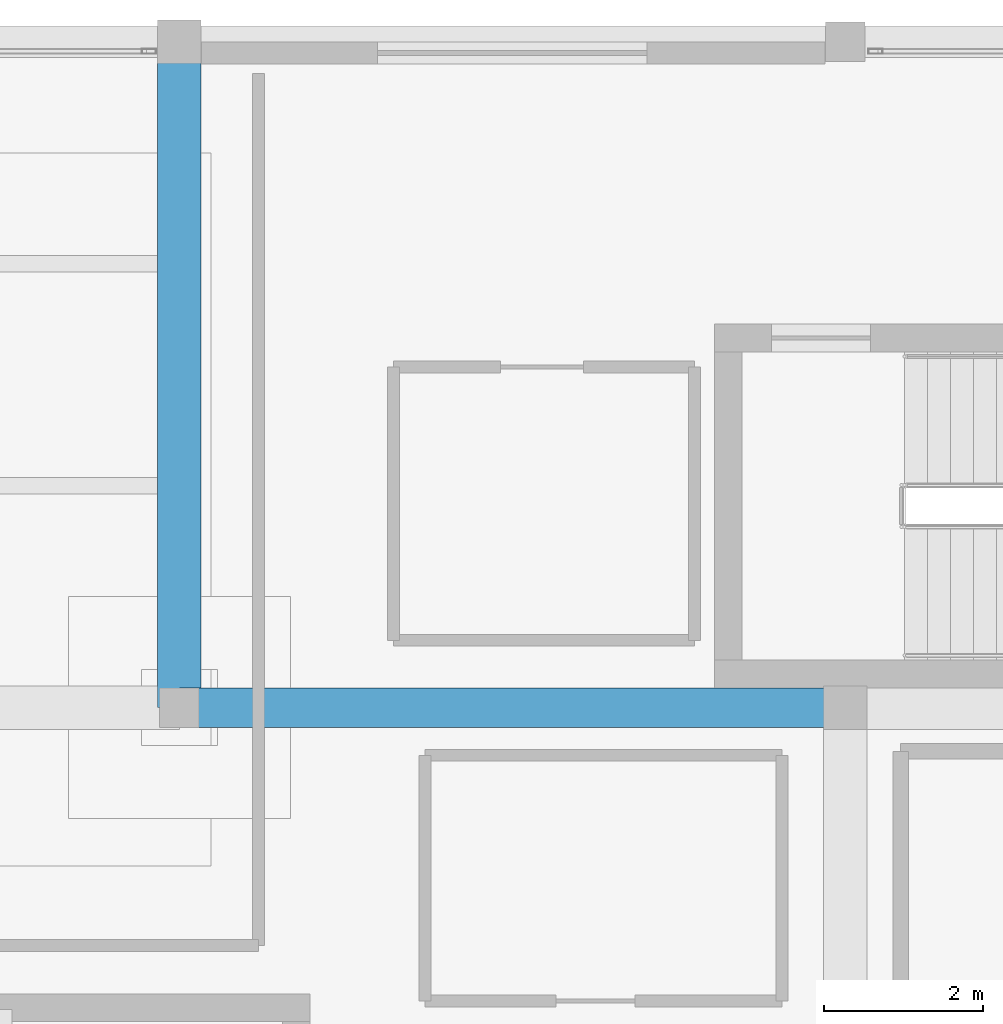
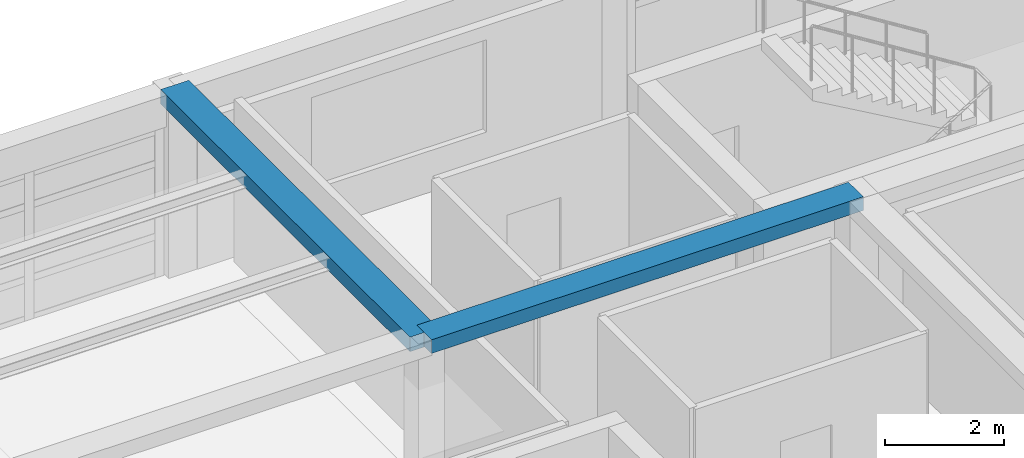
# One storey, part 10 of 20: 2 beams.
"""IFC4 building model written with IfcOpenShell, lengths in metres."""

from ifc_helpers import new_model, si_unit, direction, frame, origin, origin_2d, place, context, subcontext, project, spatial, rectangle, extrude, material, material_profile, profile_set, type_object, element, save


model = new_model("IFC4")

# Units and contexts
model_context = context("Model", 3, precision=1e-05, world=origin(), true_north=direction((0.0, 1.0)))
body_context = subcontext(model_context, "Body", "Model", "MODEL_VIEW")
ifc_project = project(units=[si_unit("LENGTHUNIT", "METRE"), si_unit("AREAUNIT", "SQUARE_METRE"), si_unit("VOLUMEUNIT", "CUBIC_METRE"), si_unit("PLANEANGLEUNIT", "RADIAN"), si_unit("MASSUNIT", "GRAM", prefix="KILO")], contexts=[model_context])

# Site, building, storey
site_placement = place(None, origin())
site = spatial("IfcSite", under=ifc_project, at=site_placement, CompositionType="ELEMENT")
building_placement = place(site_placement, origin())
building = spatial("IfcBuilding", under=site, at=building_placement, Name="Almacenes y Pasaje Nevantli", CompositionType="ELEMENT")
storey_placement = place(building_placement, frame((0.0, 0.0, 62.699951171875)))
storey = spatial("IfcBuildingStorey", under=building, at=storey_placement, Name="L15", CompositionType="ELEMENT", Elevation=62.699951171875)

# Beams
ifc_material_1 = material(Name="Concrete C35/45", Category="concrete")
ifc_material_profile_1 = material_profile(ifc_material_1, rectangle(XDim=0.5, YDim=0.280029296875, at=origin_2d()), Name="RC-BM-500x280")
ifc_profile_set_1 = profile_set([ifc_material_profile_1], Name="Concrete C35/45")
beam_type_1 = type_object("IfcBeamType", Name="BM-RC-500x280", PredefinedType="BEAM", material=ifc_profile_set_1)
beam_1_placement = place(storey_placement, frame((126.0, 84.0, 3.580078125), z_axis=(1.0, 0.0, 0.0), x_axis=(0.0, 1.0, 0.0)))
element("IfcBeam", 1, at=beam_1_placement, inside=storey, type_object=beam_type_1, Name="L15 East-West Reinforced Concrete Beam #4023", PredefinedType="BEAM", context=body_context, shape_type="SweptSolid", body=[
    extrude(rectangle(XDim=0.5, YDim=0.280029296875, at=origin_2d()), origin(), (0.0, 0.0, 1.0), 8.39990234375),
])
ifc_material_2 = material(Name="Concrete C35/45", Category="concrete")
ifc_material_profile_2 = material_profile(ifc_material_2, rectangle(XDim=0.550048828125, YDim=0.300048828125, at=origin_2d()), Name="RC-BM-550x300")
ifc_profile_set_2 = profile_set([ifc_material_profile_2], Name="Concrete C35/45")
beam_type_2 = type_object("IfcBeamType", Name="BM-RC-550x300", PredefinedType="BEAM", material=ifc_profile_set_2)
beam_2_placement = place(storey_placement, frame((126.0, 84.0, 3.570068359375), z_axis=(0.0, 1.0, 0.0), x_axis=(-1.0, 0.0, 0.0)))
element("IfcBeam", 2, at=beam_2_placement, inside=storey, type_object=beam_type_2, Name="L15 North-South Reinforced Concrete Beam #4034", PredefinedType="BEAM", context=body_context, shape_type="SweptSolid", body=[
    extrude(rectangle(XDim=0.550048828125, YDim=0.300048828125, at=origin_2d()), origin(), (0.0, 0.0, 1.0), 8.39990234375),
])

save(model, "model.ifc")
